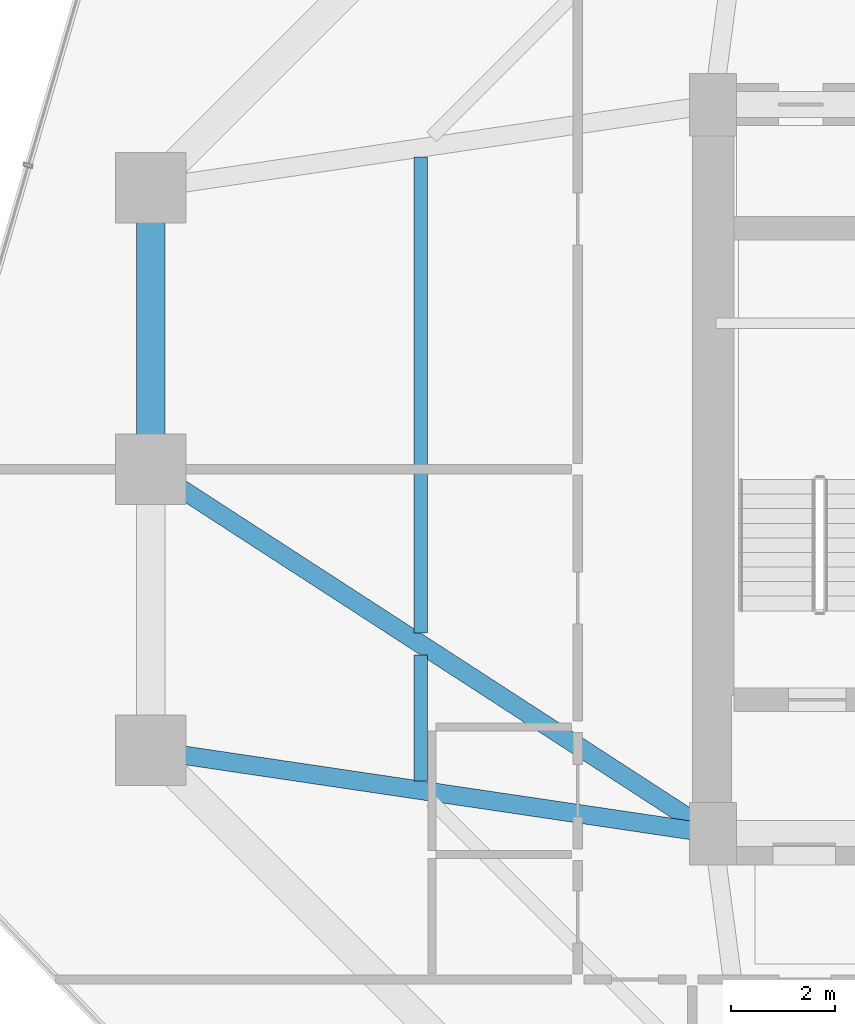
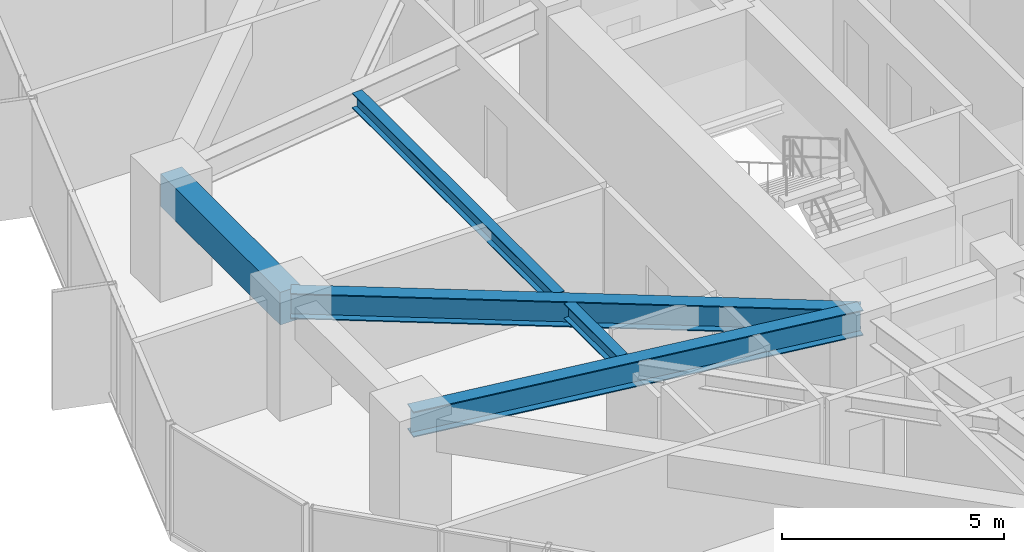
# One storey, part 9 of 37: 5 beams.
"""IFC4 building model written with IfcOpenShell, lengths in metres."""

from ifc_helpers import new_model, si_unit, direction, frame, origin, origin_2d, place, context, subcontext, project, spatial, rectangle, i_section, extrude, material, material_profile, profile_set, type_object, element, save


model = new_model("IFC4")

# Units and contexts
model_context = context("Model", 3, precision=1e-05, world=origin(), true_north=direction((0.0, 1.0)))
body_context = subcontext(model_context, "Body", "Model", "MODEL_VIEW")
ifc_project = project(units=[si_unit("LENGTHUNIT", "METRE"), si_unit("AREAUNIT", "SQUARE_METRE"), si_unit("VOLUMEUNIT", "CUBIC_METRE"), si_unit("PLANEANGLEUNIT", "RADIAN"), si_unit("MASSUNIT", "GRAM", prefix="KILO")], contexts=[model_context])

# Site, building, storey
site_placement = place(None, origin())
site = spatial("IfcSite", under=ifc_project, at=site_placement, CompositionType="ELEMENT")
building_placement = place(site_placement, origin())
building = spatial("IfcBuilding", under=site, at=building_placement, Name="Veraguas Prism Commons", CompositionType="ELEMENT")
storey_placement = place(building_placement, frame((0.0, 0.0, 70.60009765625)))
storey = spatial("IfcBuildingStorey", under=building, at=storey_placement, Name="L19", CompositionType="ELEMENT", Elevation=70.60009765625)

# Beams
ifc_material_1 = material(Name="Steel ASTM A992 Grade 50", Category="steel")
ifc_material_profile_1 = material_profile(ifc_material_1, i_section(OverallWidth=0.260986328125, OverallDepth=0.419921875, WebThickness=0.01171875, FlangeThickness=0.019287109375, at=origin_2d()), Name="W410X114")
ifc_profile_set_1 = profile_set([ifc_material_profile_1], Name="Steel ASTM A992 Grade 50")
beam_type_1 = type_object("IfcBeamType", Name="Lower Floor Joist W410x114", PredefinedType="JOIST", material=ifc_profile_set_1)
beam_1_placement = place(storey_placement, frame((11.583984375, 29.989990234375, 2.789794921875), z_axis=(0.0, -1.0, 0.0), x_axis=(1.0, 0.0, 0.0)))
element("IfcBeam", 1, at=beam_1_placement, inside=storey, type_object=beam_type_1, Name="Composite Floor Joist L19-JS07", PredefinedType="JOIST", context=body_context, shape_type="SweptSolid", body=[
    extrude(i_section(OverallWidth=0.260986328125, OverallDepth=0.419921875, WebThickness=0.01171875, FlangeThickness=0.019287109375, at=origin_2d()), origin(), (0.0, 0.0, 1.0), 9.140380859375),
])
beam_2_placement = place(storey_placement, frame((11.583984375, 20.430419921875, 2.789794921875), z_axis=(0.0, -1.0, 0.0), x_axis=(1.0, 0.0, 0.0)))
element("IfcBeam", 2, at=beam_2_placement, inside=storey, type_object=beam_type_1, Name="Composite Floor Joist L19-JS08", PredefinedType="JOIST", context=body_context, shape_type="SweptSolid", body=[
    extrude(i_section(OverallWidth=0.260986328125, OverallDepth=0.419921875, WebThickness=0.01171875, FlangeThickness=0.019287109375, at=origin_2d()), origin(), (0.0, 0.0, 1.0), 2.42041015625),
])
ifc_material_2 = material(Name="Concrete C50/60", Category="concrete")
ifc_material_profile_2 = material_profile(ifc_material_2, rectangle(XDim=0.550048828125, YDim=0.89990234375, at=origin_2d()), Name="RC550X900")
ifc_profile_set_2 = profile_set([ifc_material_profile_2], Name="Concrete C50/60")
beam_type_2 = type_object("IfcBeamType", Name="Perimeter Spandrel Lower RC 550x900", PredefinedType="SPANDREL", material=ifc_profile_set_2)
beam_3_placement = place(storey_placement, frame((6.39990234375, 29.39990234375, 2.5498046875), z_axis=(0.0, -1.0, 0.0), x_axis=(1.0, 0.0, 0.0)))
element("IfcBeam", 3, at=beam_3_placement, inside=storey, type_object=beam_type_2, Name="Perimeter Spandrel Beam L19-SP07", PredefinedType="SPANDREL", context=body_context, shape_type="SweptSolid", body=[
    extrude(rectangle(XDim=0.550048828125, YDim=0.89990234375, at=origin_2d()), origin(), (0.0, 0.0, 1.0), 5.39990234375),
])
ifc_material_profile_3 = material_profile(ifc_material_1, i_section(OverallWidth=0.35595703125, OverallDepth=0.700927734375, WebThickness=0.016845703125, FlangeThickness=0.02734375, at=origin_2d()), Name="W690X240")
ifc_profile_set_3 = profile_set([ifc_material_profile_3], Name="Steel ASTM A992 Grade 50")
beam_type_3 = type_object("IfcBeamType", Name="Zone 1 Radial Girder W690x240", PredefinedType="BEAM", material=ifc_profile_set_3)
beam_4_placement = place(storey_placement, frame((6.39990234375, 24.0, 2.6494140625), z_axis=(0.839154108875, -0.543893722668, 0.0), x_axis=(0.543893722668, 0.839154108875, 0.0)))
element("IfcBeam", 4, at=beam_4_placement, inside=storey, type_object=beam_type_3, Name="Radial Floor Girder L19-RD08", PredefinedType="BEAM", context=body_context, shape_type="SweptSolid", body=[
    extrude(i_section(OverallWidth=0.35595703125, OverallDepth=0.700927734375, WebThickness=0.016845703125, FlangeThickness=0.02734375, at=origin_2d()), origin(), (0.0, 0.0, 1.0), 12.8701171875),
])
beam_5_placement = place(storey_placement, frame((6.39990234375, 18.60009765625, 2.6494140625), z_axis=(0.989202261707, -0.146556765224, 0.0), x_axis=(0.146556765224, 0.989202261707, 0.0)))
element("IfcBeam", 5, at=beam_5_placement, inside=storey, type_object=beam_type_3, Name="Radial Floor Girder L19-RD09", PredefinedType="BEAM", context=body_context, shape_type="SweptSolid", body=[
    extrude(i_section(OverallWidth=0.35595703125, OverallDepth=0.700927734375, WebThickness=0.016845703125, FlangeThickness=0.02734375, at=origin_2d()), origin(), (0.0, 0.0, 1.0), 10.91796875),
])

save(model, "model.ifc")
